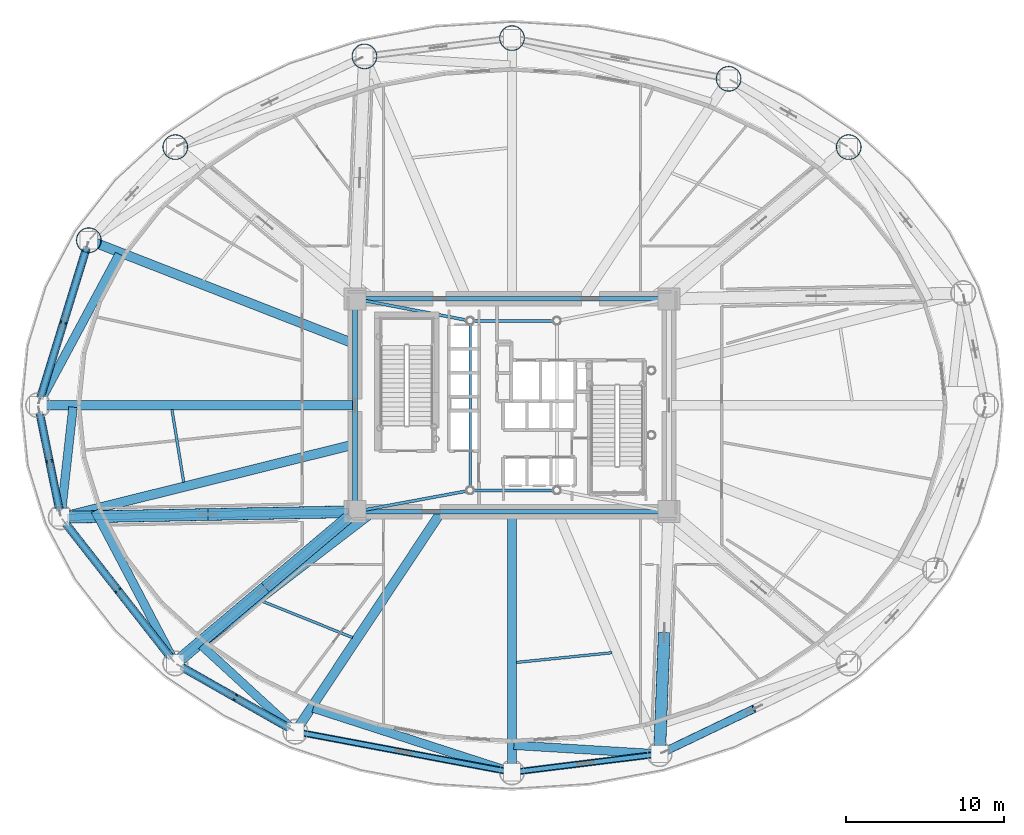
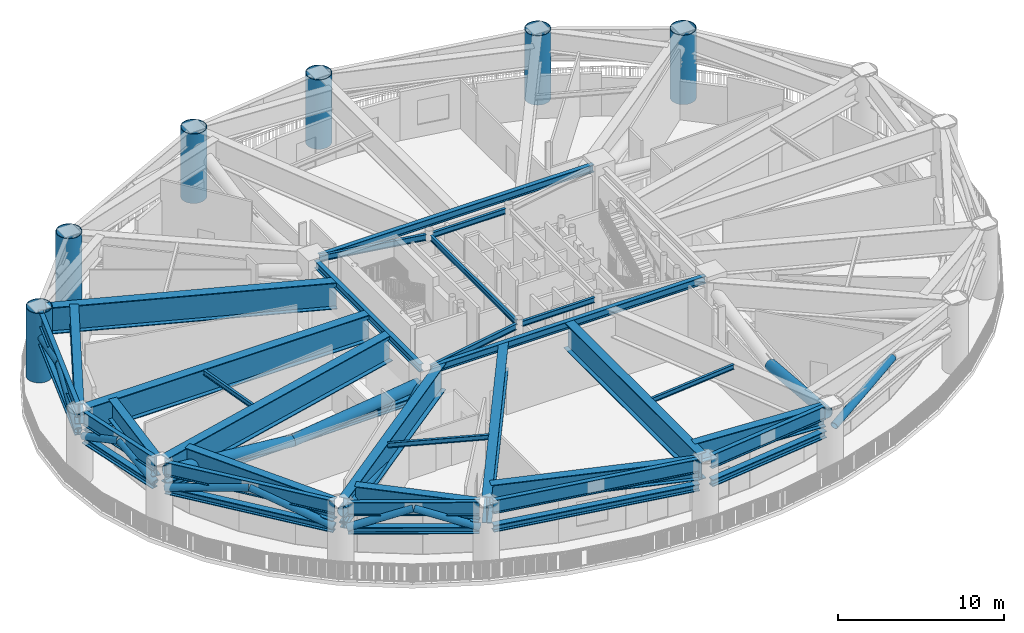
# One storey, part 3 of 22: 37 beams, 14 members, 6 columns.
"""IFC4 building model written with IfcOpenShell, lengths in metres."""

from ifc_helpers import new_model, si_unit, direction, frame, origin, origin_2d, place, context, subcontext, project, spatial, hollow_circle, i_section, extrude, material, material_profile, profile_set, type_object, element, save


model = new_model("IFC4")

# Units and contexts
model_context = context("Model", 3, precision=1e-05, world=origin(), true_north=direction((0.0, 1.0)))
body_context = subcontext(model_context, "Body", "Model", "MODEL_VIEW")
ifc_project = project(units=[si_unit("LENGTHUNIT", "METRE"), si_unit("AREAUNIT", "SQUARE_METRE"), si_unit("VOLUMEUNIT", "CUBIC_METRE"), si_unit("PLANEANGLEUNIT", "RADIAN"), si_unit("MASSUNIT", "GRAM", prefix="KILO")], contexts=[model_context])

# Site, building, storey
site_placement = place(None, origin())
site = spatial("IfcSite", under=ifc_project, at=site_placement, CompositionType="ELEMENT")
building_placement = place(site_placement, origin())
building = spatial("IfcBuilding", under=site, at=building_placement, Name="Linh Dai School and Residence Tower", CompositionType="ELEMENT")
storey_placement = place(building_placement, frame((0.0, 0.0, 87.0)))
storey = spatial("IfcBuildingStorey", under=building, at=storey_placement, Name="L20", CompositionType="ELEMENT", Elevation=87.0)

# Columns
ifc_material = material(Name="Structural Steel S355JR", Category="steel")
ifc_material_profile_1 = material_profile(ifc_material, hollow_circle(Radius=0.800048828125, WallThickness=0.044921875, at=origin_2d()), Name="CHS 1600x45")
ifc_profile_set_1 = profile_set([ifc_material_profile_1], Name="Structural Steel S355JR")
column_type = type_object("IfcColumnType", Name="COL-MC2", PredefinedType="COLUMN", material=ifc_profile_set_1)
for number, where, z_axis, x_axis, name in (
    (1, (57.352783203125, 43.369140625, 0.0), (0.0, 0.0, 1.0), (1.0, 0.0, 0.0), "L20 Perimeter CFT Mega-Column MC03"),
    (2, (49.73828125, 47.69921875, 0.0), (0.0, 0.0, 1.0), (1.0, 0.0, 0.0), "L20 Perimeter CFT Mega-Column MC04"),
    (3, (36.0, 50.280029296875, 0.0), (0.0, 0.0, 1.0), (1.0, 0.0, 0.0), "L20 Perimeter CFT Mega-Column MC05"),
    (4, (26.642333984375, 49.119873046875, 0.0), (0.0, 0.0, 1.0), (1.0, 0.0, 0.0), "L20 Perimeter CFT Mega-Column MC06"),
    (5, (14.647216796875, 43.369140625, 0.0), (0.0, 0.0, 1.0), (1.0, 0.0, 0.0), "L20 Perimeter CFT Mega-Column MC07"),
    (6, (9.16455078125, 37.4638671875, 0.0), (0.0, 0.0, 1.0), (1.0, 0.0, 0.0), "L20 Perimeter CFT Mega-Column MC08"),
):
    element("IfcColumn", number, at=place(storey_placement, frame(where, z_axis=z_axis, x_axis=x_axis)), inside=storey, type_object=column_type, Name=name, PredefinedType="COLUMN", context=body_context, shape_type="SweptSolid", body=[
        extrude(hollow_circle(Radius=0.800048828125, WallThickness=0.044921875, at=origin_2d()), origin(), (0.0, 0.0, 1.0), 5.10009765625),
    ])

# Beams
ifc_material_profile_2 = material_profile(ifc_material, i_section(OverallWidth=0.41796875, OverallDepth=0.506103515625, WebThickness=0.038818359375, FlangeThickness=0.05810546875, FilletRadius=0.014892578125, at=origin_2d()), Name="HD 400x551")
ifc_profile_set_2 = profile_set([ifc_material_profile_2], Name="Structural Steel S355JR")
beam_type_1 = type_object("IfcBeamType", Name="BM-BC1", PredefinedType="BEAM", material=ifc_profile_set_2)
beam_1_placement = place(storey_placement, frame((9.041259765625, 37.062255859375, 3.050048828125), z_axis=(-0.293673329015, -0.95590584046, 0.0), x_axis=(0.95590584046, -0.293673329015, 0.0)))
element("IfcBeam", 7, at=beam_1_placement, inside=storey, type_object=beam_type_1, Name="L20 Ring Belt Truss BT2 Bottom Chord 08", PredefinedType="BEAM", context=body_context, shape_type="SweptSolid", body=[
    extrude(i_section(OverallWidth=0.41796875, OverallDepth=0.506103515625, WebThickness=0.038818359375, FlangeThickness=0.05810546875, FilletRadius=0.014892578125, at=origin_2d()), origin(), (0.0, 0.0, 1.0), 10.1064453125),
])
beam_2_placement = place(storey_placement, frame((6.033447265625, 26.58837890625, 3.050048828125), z_axis=(0.198429171022, -0.980115230005, 0.0), x_axis=(0.980115230005, 0.198429171022, 0.0)))
element("IfcBeam", 8, at=beam_2_placement, inside=storey, type_object=beam_type_1, Name="L20 Ring Belt Truss BT2 Bottom Chord 09", PredefinedType="BEAM", context=body_context, shape_type="SweptSolid", body=[
    extrude(i_section(OverallWidth=0.41796875, OverallDepth=0.506103515625, WebThickness=0.038818359375, FlangeThickness=0.05810546875, FilletRadius=0.014892578125, at=origin_2d()), origin(), (0.0, 0.0, 1.0), 6.41259765625),
])
beam_3_placement = place(storey_placement, frame((7.648193359375, 19.560791015625, 3.050048828125), z_axis=(0.616878670407, -0.787058260866, 0.0), x_axis=(0.787058260866, 0.616878670407, 0.0)))
element("IfcBeam", 9, at=beam_3_placement, inside=storey, type_object=beam_type_1, Name="L20 Ring Belt Truss BT2 Bottom Chord 10", PredefinedType="BEAM", context=body_context, shape_type="SweptSolid", body=[
    extrude(i_section(OverallWidth=0.41796875, OverallDepth=0.506103515625, WebThickness=0.038818359375, FlangeThickness=0.05810546875, FilletRadius=0.014892578125, at=origin_2d()), origin(), (0.0, 0.0, 1.0), 10.926025390625),
])
beam_4_placement = place(storey_placement, frame((15.012451171875, 10.42333984375, 3.050048828125), z_axis=(0.869271416992, -0.494335112653, 0.0), x_axis=(0.494335112653, 0.869271416992, 0.0)))
element("IfcBeam", 10, at=beam_4_placement, inside=storey, type_object=beam_type_1, Name="L20 Ring Belt Truss BT2 Bottom Chord 11", PredefinedType="BEAM", context=body_context, shape_type="SweptSolid", body=[
    extrude(i_section(OverallWidth=0.41796875, OverallDepth=0.506103515625, WebThickness=0.038818359375, FlangeThickness=0.05810546875, FilletRadius=0.014892578125, at=origin_2d()), origin(), (0.0, 0.0, 1.0), 7.91943359375),
])
beam_5_placement = place(storey_placement, frame((22.67431640625, 6.223388671875, 3.050048828125), z_axis=(0.982808389171, -0.184628465236, 0.0), x_axis=(0.184628465236, 0.982808389171, 0.0)))
element("IfcBeam", 11, at=beam_5_placement, inside=storey, type_object=beam_type_1, Name="L20 Ring Belt Truss BT2 Bottom Chord 12", PredefinedType="BEAM", context=body_context, shape_type="SweptSolid", body=[
    extrude(i_section(OverallWidth=0.41796875, OverallDepth=0.506103515625, WebThickness=0.038818359375, FlangeThickness=0.05810546875, FilletRadius=0.014892578125, at=origin_2d()), origin(), (0.0, 0.0, 1.0), 13.138671875),
])
beam_6_placement = place(storey_placement, frame((36.416748046875, 3.771728515625, 3.050048828125), z_axis=(0.99240113372, 0.123044665842, 0.0), x_axis=(-0.123044665842, 0.99240113372, 0.0)))
element("IfcBeam", 12, at=beam_6_placement, inside=storey, type_object=beam_type_1, Name="L20 Ring Belt Truss BT2 Bottom Chord 13", PredefinedType="BEAM", context=body_context, shape_type="SweptSolid", body=[
    extrude(i_section(OverallWidth=0.41796875, OverallDepth=0.506103515625, WebThickness=0.038818359375, FlangeThickness=0.05810546875, FilletRadius=0.014892578125, at=origin_2d()), origin(), (0.0, 0.0, 1.0), 8.58935546875),
])
beam_7_placement = place(storey_placement, frame((25.630126953125, 20.241943359375, 3.10009765625), z_axis=(-0.99981560053, -0.019203253263, 0.0), x_axis=(0.019203253263, -0.99981560053, 0.0)))
element("IfcBeam", 13, at=beam_7_placement, inside=storey, type_object=beam_type_1, Name="L20 Outrigger Truss OT1 Bottom Chord 05", PredefinedType="BEAM", context=body_context, shape_type="SweptSolid", body=[
    extrude(i_section(OverallWidth=0.41796875, OverallDepth=0.506103515625, WebThickness=0.038818359375, FlangeThickness=0.05810546875, FilletRadius=0.014892578125, at=origin_2d()), origin(), (0.0, 0.0, 1.0), 17.82421875),
])
beam_8_placement = place(storey_placement, frame((25.72900390625, 19.979248046875, 3.10009765625), z_axis=(-0.764352378817, -0.644798760077, 0.0), x_axis=(0.644798760077, -0.764352378817, 0.0)))
element("IfcBeam", 14, at=beam_8_placement, inside=storey, type_object=beam_type_1, Name="L20 Outrigger Truss OT1 Bottom Chord 06", PredefinedType="BEAM", context=body_context, shape_type="SweptSolid", body=[
    extrude(i_section(OverallWidth=0.41796875, OverallDepth=0.506103515625, WebThickness=0.038818359375, FlangeThickness=0.05810546875, FilletRadius=0.014892578125, at=origin_2d()), origin(), (0.0, 0.0, 1.0), 14.078369140625),
])
ifc_material_profile_3 = material_profile(ifc_material, i_section(OverallWidth=0.300048828125, OverallDepth=1.0, WebThickness=0.01904296875, FlangeThickness=0.035888671875, FilletRadius=0.030029296875, at=origin_2d()), Name="HEB 1000")
ifc_profile_set_3 = profile_set([ifc_material_profile_3], Name="Structural Steel S355JR")
beam_type_2 = type_object("IfcBeamType", Name="BM-RG10", PredefinedType="BEAM", material=ifc_profile_set_3)
beam_9_placement = place(storey_placement, frame((9.041259765625, 37.062255859375, 4.60009765625), z_axis=(-0.293673329015, -0.95590584046, 0.0), x_axis=(0.95590584046, -0.293673329015, 0.0)))
element("IfcBeam", 15, at=beam_9_placement, inside=storey, type_object=beam_type_2, Name="L20 Perimeter Elliptical Ring Beam 08", PredefinedType="BEAM", context=body_context, shape_type="SweptSolid", body=[
    extrude(i_section(OverallWidth=0.300048828125, OverallDepth=1.0, WebThickness=0.01904296875, FlangeThickness=0.035888671875, FilletRadius=0.030029296875, at=origin_2d()), origin(), (0.0, 0.0, 1.0), 10.1064453125),
])
beam_10_placement = place(storey_placement, frame((6.033447265625, 26.58837890625, 4.60009765625), z_axis=(0.198429171022, -0.980115230005, 0.0), x_axis=(0.980115230005, 0.198429171022, 0.0)))
element("IfcBeam", 16, at=beam_10_placement, inside=storey, type_object=beam_type_2, Name="L20 Perimeter Elliptical Ring Beam 09", PredefinedType="BEAM", context=body_context, shape_type="SweptSolid", body=[
    extrude(i_section(OverallWidth=0.300048828125, OverallDepth=1.0, WebThickness=0.01904296875, FlangeThickness=0.035888671875, FilletRadius=0.030029296875, at=origin_2d()), origin(), (0.0, 0.0, 1.0), 6.41259765625),
])
beam_11_placement = place(storey_placement, frame((7.648193359375, 19.560791015625, 4.60009765625), z_axis=(0.616878670407, -0.787058260866, 0.0), x_axis=(0.787058260866, 0.616878670407, 0.0)))
element("IfcBeam", 17, at=beam_11_placement, inside=storey, type_object=beam_type_2, Name="L20 Perimeter Elliptical Ring Beam 10", PredefinedType="BEAM", context=body_context, shape_type="SweptSolid", body=[
    extrude(i_section(OverallWidth=0.300048828125, OverallDepth=1.0, WebThickness=0.01904296875, FlangeThickness=0.035888671875, FilletRadius=0.030029296875, at=origin_2d()), origin(), (0.0, 0.0, 1.0), 10.926025390625),
])
beam_12_placement = place(storey_placement, frame((15.012451171875, 10.42333984375, 4.60009765625), z_axis=(0.869271416992, -0.494335112653, 0.0), x_axis=(0.494335112653, 0.869271416992, 0.0)))
element("IfcBeam", 18, at=beam_12_placement, inside=storey, type_object=beam_type_2, Name="L20 Perimeter Elliptical Ring Beam 11", PredefinedType="BEAM", context=body_context, shape_type="SweptSolid", body=[
    extrude(i_section(OverallWidth=0.300048828125, OverallDepth=1.0, WebThickness=0.01904296875, FlangeThickness=0.035888671875, FilletRadius=0.030029296875, at=origin_2d()), origin(), (0.0, 0.0, 1.0), 7.91943359375),
])
beam_13_placement = place(storey_placement, frame((22.67431640625, 6.223388671875, 4.60009765625), z_axis=(0.982808389171, -0.184628465236, 0.0), x_axis=(0.184628465236, 0.982808389171, 0.0)))
element("IfcBeam", 19, at=beam_13_placement, inside=storey, type_object=beam_type_2, Name="L20 Perimeter Elliptical Ring Beam 12", PredefinedType="BEAM", context=body_context, shape_type="SweptSolid", body=[
    extrude(i_section(OverallWidth=0.300048828125, OverallDepth=1.0, WebThickness=0.01904296875, FlangeThickness=0.035888671875, FilletRadius=0.030029296875, at=origin_2d()), origin(), (0.0, 0.0, 1.0), 13.138671875),
])
beam_14_placement = place(storey_placement, frame((36.416748046875, 3.771728515625, 4.60009765625), z_axis=(0.99240113372, 0.123044665842, 0.0), x_axis=(-0.123044665842, 0.99240113372, 0.0)))
element("IfcBeam", 20, at=beam_14_placement, inside=storey, type_object=beam_type_2, Name="L20 Perimeter Elliptical Ring Beam 13", PredefinedType="BEAM", context=body_context, shape_type="SweptSolid", body=[
    extrude(i_section(OverallWidth=0.300048828125, OverallDepth=1.0, WebThickness=0.01904296875, FlangeThickness=0.035888671875, FilletRadius=0.030029296875, at=origin_2d()), origin(), (0.0, 0.0, 1.0), 8.58935546875),
])
ifc_material_profile_4 = material_profile(ifc_material, i_section(OverallWidth=0.300048828125, OverallDepth=0.550048828125, WebThickness=0.014892578125, FlangeThickness=0.029052734375, FilletRadius=0.027099609375, at=origin_2d()), Name="HEB 550")
ifc_profile_set_4 = profile_set([ifc_material_profile_4], Name="Structural Steel S355JR")
beam_type_3 = type_object("IfcBeamType", Name="BM-RG55", PredefinedType="BEAM", material=ifc_profile_set_4)
for number, where, z_axis, x_axis, name in (
    (21, (26.469970703125, 20.25, 4.824951171875), (1.0, 0.0, 0.0), (0.0, 1.0, 0.0), "L20 Core Perimeter Coupling Girder 1"),
    (22, (45.530029296875, 33.75, 4.824951171875), (-1.0, 0.0, 0.0), (0.0, -1.0, 0.0), "L20 Core Perimeter Coupling Girder 3"),
):
    element("IfcBeam", number, at=place(storey_placement, frame(where, z_axis=z_axis, x_axis=x_axis)), inside=storey, type_object=beam_type_3, Name=name, PredefinedType="BEAM", context=body_context, shape_type="SweptSolid", body=[
        extrude(i_section(OverallWidth=0.300048828125, OverallDepth=0.550048828125, WebThickness=0.014892578125, FlangeThickness=0.029052734375, FilletRadius=0.027099609375, at=origin_2d()), origin(), (0.0, 0.0, 1.0), 19.06005859375),
    ])
beam_15_placement = place(storey_placement, frame((26.050048828125, 33.330078125, 4.824951171875), z_axis=(0.0, -1.0, 0.0), x_axis=(1.0, 0.0, 0.0)))
element("IfcBeam", 23, at=beam_15_placement, inside=storey, type_object=beam_type_3, Name="L20 Core Perimeter Coupling Girder 4", PredefinedType="BEAM", context=body_context, shape_type="SweptSolid", body=[
    extrude(i_section(OverallWidth=0.300048828125, OverallDepth=0.550048828125, WebThickness=0.014892578125, FlangeThickness=0.029052734375, FilletRadius=0.027099609375, at=origin_2d()), origin(), (0.0, 0.0, 1.0), 12.66015625),
])
ifc_material_profile_5 = material_profile(ifc_material, i_section(OverallWidth=0.169921875, OverallDepth=0.360107421875, WebThickness=0.008056640625, FlangeThickness=0.0126953125, FilletRadius=0.01806640625, at=origin_2d()), Name="IPE 360")
ifc_profile_set_5 = profile_set([ifc_material_profile_5], Name="Structural Steel S355JR")
beam_type_4 = type_object("IfcBeamType", Name="BM-SB36", PredefinedType="BEAM", material=ifc_profile_set_5)
beam_16_placement = place(storey_placement, frame((14.436767578125, 26.7236328125, 4.919921875), z_axis=(0.159664860772, -0.987171278064, 0.0), x_axis=(0.987171278064, 0.159664860772, 0.0)))
element("IfcBeam", 24, at=beam_16_placement, inside=storey, type_object=beam_type_4, Name="L20 Secondary Circumferential Floor Beam 05", PredefinedType="BEAM", context=body_context, shape_type="SweptSolid", body=[
    extrude(i_section(OverallWidth=0.169921875, OverallDepth=0.360107421875, WebThickness=0.008056640625, FlangeThickness=0.0126953125, FilletRadius=0.01806640625, at=origin_2d()), origin(), (0.0, 0.0, 1.0), 4.668212890625),
])
beam_17_placement = place(storey_placement, frame((20.177001953125, 14.566162109375, 4.919921875), z_axis=(0.927541657377, -0.373719779823, 0.0), x_axis=(0.373719779823, 0.927541657377, 0.0)))
element("IfcBeam", 25, at=beam_17_placement, inside=storey, type_object=beam_type_4, Name="L20 Secondary Circumferential Floor Beam 06", PredefinedType="BEAM", context=body_context, shape_type="SweptSolid", body=[
    extrude(i_section(OverallWidth=0.169921875, OverallDepth=0.360107421875, WebThickness=0.008056640625, FlangeThickness=0.0126953125, FilletRadius=0.01806640625, at=origin_2d()), origin(), (0.0, 0.0, 1.0), 6.15966796875),
])
beam_18_placement = place(storey_placement, frame((36.278564453125, 10.69091796875, 4.919921875), z_axis=(0.994886299019, 0.101001247636, 0.0), x_axis=(-0.101001247636, 0.994886299019, 0.0)))
element("IfcBeam", 26, at=beam_18_placement, inside=storey, type_object=beam_type_4, Name="L20 Secondary Circumferential Floor Beam 07", PredefinedType="BEAM", context=body_context, shape_type="SweptSolid", body=[
    extrude(i_section(OverallWidth=0.169921875, OverallDepth=0.360107421875, WebThickness=0.008056640625, FlangeThickness=0.0126953125, FilletRadius=0.01806640625, at=origin_2d()), origin(), (0.0, 0.0, 1.0), 6.10107421875),
])
ifc_material_profile_6 = material_profile(ifc_material, i_section(OverallWidth=0.179931640625, OverallDepth=0.39990234375, WebThickness=0.008544921875, FlangeThickness=0.013427734375, FilletRadius=0.02099609375, at=origin_2d()), Name="IPE 400")
ifc_profile_set_6 = profile_set([ifc_material_profile_6], Name="Structural Steel S355JR")
beam_type_5 = type_object("IfcBeamType", Name="BM-SB40", PredefinedType="BEAM", material=ifc_profile_set_6)
for number, where, z_axis, x_axis, name in (
    (27, (33.573974609375, 21.60009765625, 4.89990234375), (1.0, 0.0, 0.0), (0.0, 1.0, 0.0), "L20 Core Mast Pier Tie Beam 1"),
    (28, (38.6259765625, 32.35009765625, 4.89990234375), (-1.0, 0.0, 0.0), (0.0, -1.0, 0.0), "L20 Core Mast Pier Tie Beam 3"),
):
    element("IfcBeam", number, at=place(storey_placement, frame(where, z_axis=z_axis, x_axis=x_axis)), inside=storey, type_object=beam_type_5, Name=name, PredefinedType="BEAM", context=body_context, shape_type="SweptSolid", body=[
        extrude(i_section(OverallWidth=0.179931640625, OverallDepth=0.39990234375, WebThickness=0.008544921875, FlangeThickness=0.013427734375, FilletRadius=0.02099609375, at=origin_2d()), origin(), (0.0, 0.0, 1.0), 5.052001953125),
    ])
beam_19_placement = place(storey_placement, frame((33.35009765625, 32.1259765625, 4.89990234375), z_axis=(0.0, -1.0, 0.0), x_axis=(1.0, 0.0, 0.0)))
element("IfcBeam", 29, at=beam_19_placement, inside=storey, type_object=beam_type_5, Name="L20 Core Mast Pier Tie Beam 4", PredefinedType="BEAM", context=body_context, shape_type="SweptSolid", body=[
    extrude(i_section(OverallWidth=0.179931640625, OverallDepth=0.39990234375, WebThickness=0.008544921875, FlangeThickness=0.013427734375, FilletRadius=0.02099609375, at=origin_2d()), origin(), (0.0, 0.0, 1.0), 10.302001953125),
])
ifc_material_profile_7 = material_profile(ifc_material, i_section(OverallWidth=0.18994140625, OverallDepth=0.449951171875, WebThickness=0.009521484375, FlangeThickness=0.0146484375, FilletRadius=0.02099609375, at=origin_2d()), Name="IPE 450")
ifc_profile_set_7 = profile_set([ifc_material_profile_7], Name="Structural Steel S355JR")
beam_type_6 = type_object("IfcBeamType", Name="BM-SB45", PredefinedType="BEAM", material=ifc_profile_set_7)
beam_20_placement = place(storey_placement, frame((26.462890625, 20.326416015625, 4.875), z_axis=(0.983326152819, 0.18185070025, 0.0), x_axis=(-0.18185070025, 0.983326152819, 0.0)))
element("IfcBeam", 30, at=beam_20_placement, inside=storey, type_object=beam_type_6, Name="L20 Core Corner-to-Mast Pier Beam 1", PredefinedType="BEAM", context=body_context, shape_type="SweptSolid", body=[
    extrude(i_section(OverallWidth=0.18994140625, OverallDepth=0.449951171875, WebThickness=0.009521484375, FlangeThickness=0.0146484375, FilletRadius=0.02099609375, at=origin_2d()), origin(), (0.0, 0.0, 1.0), 6.77978515625),
])
beam_21_placement = place(storey_placement, frame((26.46240234375, 33.6708984375, 4.875), z_axis=(0.982100456787, -0.188357884832, 0.0), x_axis=(0.188357884832, 0.982100456787, 0.0)))
element("IfcBeam", 31, at=beam_21_placement, inside=storey, type_object=beam_type_6, Name="L20 Core Corner-to-Mast Pier Beam 4", PredefinedType="BEAM", context=body_context, shape_type="SweptSolid", body=[
    extrude(i_section(OverallWidth=0.18994140625, OverallDepth=0.449951171875, WebThickness=0.009521484375, FlangeThickness=0.0146484375, FilletRadius=0.02099609375, at=origin_2d()), origin(), (0.0, 0.0, 1.0), 6.789306640625),
])
ifc_material_profile_8 = material_profile(ifc_material, i_section(OverallWidth=0.550048828125, OverallDepth=1.5, WebThickness=0.028076171875, FlangeThickness=0.050048828125, at=origin_2d()), Name="PG 1500x550x28x50")
ifc_profile_set_8 = profile_set([ifc_material_profile_8], Name="Structural Steel S355JR")
beam_type_7 = type_object("IfcBeamType", Name="BM-TG15", PredefinedType="BEAM", material=ifc_profile_set_8)
beam_22_placement = place(storey_placement, frame((11.09423828125, 36.581787109375, 4.35009765625), z_axis=(-0.473018898391, -0.881052280949, 0.0), x_axis=(0.881052280949, -0.473018898391, 0.0)))
element("IfcBeam", 32, at=beam_22_placement, inside=storey, type_object=beam_type_7, Name="L20 Setback Diaphragm Transfer Girder 08", PredefinedType="BEAM", context=body_context, shape_type="SweptSolid", body=[
    extrude(i_section(OverallWidth=0.550048828125, OverallDepth=1.5, WebThickness=0.028076171875, FlangeThickness=0.050048828125, at=origin_2d()), origin(), (0.0, 0.0, 1.0), 10.455322265625),
])
beam_23_placement = place(storey_placement, frame((8.161865234375, 26.880615234375, 4.35009765625), z_axis=(-0.109888443668, -0.993943926964, 0.0), x_axis=(0.993943926964, -0.109888443668, 0.0)))
element("IfcBeam", 33, at=beam_23_placement, inside=storey, type_object=beam_type_7, Name="L20 Setback Diaphragm Transfer Girder 09", PredefinedType="BEAM", context=body_context, shape_type="SweptSolid", body=[
    extrude(i_section(OverallWidth=0.550048828125, OverallDepth=1.5, WebThickness=0.028076171875, FlangeThickness=0.050048828125, at=origin_2d()), origin(), (0.0, 0.0, 1.0), 6.61181640625),
])
beam_24_placement = place(storey_placement, frame((9.563232421875, 20.312744140625, 4.35009765625), z_axis=(0.464900329916, -0.885363023423, 0.0), x_axis=(0.885363023423, 0.464900329916, 0.0)))
element("IfcBeam", 34, at=beam_24_placement, inside=storey, type_object=beam_type_7, Name="L20 Setback Diaphragm Transfer Girder 10", PredefinedType="BEAM", context=body_context, shape_type="SweptSolid", body=[
    extrude(i_section(OverallWidth=0.550048828125, OverallDepth=1.5, WebThickness=0.028076171875, FlangeThickness=0.050048828125, at=origin_2d()), origin(), (0.0, 0.0, 1.0), 10.515625),
])
beam_25_placement = place(storey_placement, frame((16.315673828125, 11.763427734375, 4.35009765625), z_axis=(0.736406970607, -0.67653881902, 0.0), x_axis=(0.67653881902, 0.736406970607, 0.0)))
element("IfcBeam", 35, at=beam_25_placement, inside=storey, type_object=beam_type_7, Name="L20 Setback Diaphragm Transfer Girder 11", PredefinedType="BEAM", context=body_context, shape_type="SweptSolid", body=[
    extrude(i_section(OverallWidth=0.550048828125, OverallDepth=1.5, WebThickness=0.028076171875, FlangeThickness=0.050048828125, at=origin_2d()), origin(), (0.0, 0.0, 1.0), 7.654296875),
])
beam_26_placement = place(storey_placement, frame((23.392333984375, 7.798095703125, 4.35009765625), z_axis=(0.951465496082, -0.307755438238, 0.0), x_axis=(0.307755438238, 0.951465496082, 0.0)))
element("IfcBeam", 36, at=beam_26_placement, inside=storey, type_object=beam_type_7, Name="L20 Setback Diaphragm Transfer Girder 12", PredefinedType="BEAM", context=body_context, shape_type="SweptSolid", body=[
    extrude(i_section(OverallWidth=0.550048828125, OverallDepth=1.5, WebThickness=0.028076171875, FlangeThickness=0.050048828125, at=origin_2d()), origin(), (0.0, 0.0, 1.0), 12.830810546875),
])
beam_27_placement = place(storey_placement, frame((36.119873046875, 5.437744140625, 4.35009765625), z_axis=(0.998183735829, -0.060243086961, 0.0), x_axis=(0.060243086961, 0.998183735829, 0.0)))
element("IfcBeam", 37, at=beam_27_placement, inside=storey, type_object=beam_type_7, Name="L20 Setback Diaphragm Transfer Girder 13", PredefinedType="BEAM", context=body_context, shape_type="SweptSolid", body=[
    extrude(i_section(OverallWidth=0.550048828125, OverallDepth=1.5, WebThickness=0.028076171875, FlangeThickness=0.050048828125, at=origin_2d()), origin(), (0.0, 0.0, 1.0), 8.834716796875),
])
ifc_material_profile_9 = material_profile(ifc_material, i_section(OverallWidth=0.60009765625, OverallDepth=1.949951171875, WebThickness=0.031982421875, FlangeThickness=0.054931640625, at=origin_2d()), Name="PG 1950x600x32x55")
ifc_profile_set_9 = profile_set([ifc_material_profile_9], Name="Structural Steel S355JR")
beam_type_8 = type_object("IfcBeamType", Name="BM-TG19", PredefinedType="BEAM", material=ifc_profile_set_9)
beam_28_placement = place(storey_placement, frame((26.050048828125, 30.879638671875, 4.125), z_axis=(-0.93167509369, 0.363292609061, 0.0), x_axis=(-0.363292609061, -0.93167509369, 0.0)))
element("IfcBeam", 38, at=beam_28_placement, inside=storey, type_object=beam_type_8, Name="L20 Radial Setback Transfer Girder 08", PredefinedType="BEAM", context=body_context, shape_type="SweptSolid", body=[
    extrude(i_section(OverallWidth=0.60009765625, OverallDepth=1.949951171875, WebThickness=0.031982421875, FlangeThickness=0.054931640625, at=origin_2d()), origin(), (0.0, 0.0, 1.0), 17.703857421875),
])
beam_29_placement = place(storey_placement, frame((26.050048828125, 27.0, 4.125), z_axis=(-1.0, 0.0, 0.0), x_axis=(0.0, -1.0, 0.0)))
element("IfcBeam", 39, at=beam_29_placement, inside=storey, type_object=beam_type_8, Name="L20 Radial Setback Transfer Girder 09", PredefinedType="BEAM", context=body_context, shape_type="SweptSolid", body=[
    extrude(i_section(OverallWidth=0.60009765625, OverallDepth=1.949951171875, WebThickness=0.031982421875, FlangeThickness=0.054931640625, at=origin_2d()), origin(), (0.0, 0.0, 1.0), 19.679931640625),
])
beam_30_placement = place(storey_placement, frame((26.050048828125, 24.52783203125, 4.125), z_axis=(-0.970493481328, -0.241127357843, 0.0), x_axis=(0.241127357843, -0.970493481328, 0.0)))
element("IfcBeam", 40, at=beam_30_placement, inside=storey, type_object=beam_type_8, Name="L20 Radial Setback Transfer Girder 10", PredefinedType="BEAM", context=body_context, shape_type="SweptSolid", body=[
    extrude(i_section(OverallWidth=0.60009765625, OverallDepth=1.949951171875, WebThickness=0.031982421875, FlangeThickness=0.054931640625, at=origin_2d()), origin(), (0.0, 0.0, 1.0), 18.80810546875),
])
beam_31_placement = place(storey_placement, frame((27.195068359375, 20.25, 4.125), z_axis=(-0.793637764155, -0.608390581212, 0.0), x_axis=(0.608390581212, -0.793637764155, 0.0)))
element("IfcBeam", 41, at=beam_31_placement, inside=storey, type_object=beam_type_8, Name="L20 Radial Setback Transfer Girder 11", PredefinedType="BEAM", context=body_context, shape_type="SweptSolid", body=[
    extrude(i_section(OverallWidth=0.60009765625, OverallDepth=1.949951171875, WebThickness=0.031982421875, FlangeThickness=0.054931640625, at=origin_2d()), origin(), (0.0, 0.0, 1.0), 15.390625),
])
beam_32_placement = place(storey_placement, frame((31.52001953125, 20.25, 4.125), z_axis=(-0.55300421354, -0.833178456158, 0.0), x_axis=(0.833178456158, -0.55300421354, 0.0)))
element("IfcBeam", 42, at=beam_32_placement, inside=storey, type_object=beam_type_8, Name="L20 Radial Setback Transfer Girder 12", PredefinedType="BEAM", context=body_context, shape_type="SweptSolid", body=[
    extrude(i_section(OverallWidth=0.60009765625, OverallDepth=1.949951171875, WebThickness=0.031982421875, FlangeThickness=0.054931640625, at=origin_2d()), origin(), (0.0, 0.0, 1.0), 16.322021484375),
])
beam_33_placement = place(storey_placement, frame((36.0, 20.25, 4.125), z_axis=(0.0, -1.0, 0.0), x_axis=(1.0, 0.0, 0.0)))
element("IfcBeam", 43, at=beam_33_placement, inside=storey, type_object=beam_type_8, Name="L20 Radial Setback Transfer Girder 13", PredefinedType="BEAM", context=body_context, shape_type="SweptSolid", body=[
    extrude(i_section(OverallWidth=0.60009765625, OverallDepth=1.949951171875, WebThickness=0.031982421875, FlangeThickness=0.054931640625, at=origin_2d()), origin(), (0.0, 0.0, 1.0), 16.110107421875),
])

# Members
ifc_material_profile_10 = material_profile(ifc_material, hollow_circle(Radius=0.25390625, WallThickness=0.02001953125, at=origin_2d()), Name="CHS 508x20")
ifc_profile_set_10 = profile_set([ifc_material_profile_10], Name="Structural Steel S355JR")
member_type_1 = type_object("IfcMemberType", Name="MBR-BT2", PredefinedType="BRACE", material=ifc_profile_set_10)
member_1_placement = place(storey_placement, frame((9.0458984375, 37.077392578125, 3.16455078125), z_axis=(-0.282586468185, -0.919726735662, 0.27248416414), x_axis=(0.955897646951, -0.293699997537, 0.0)))
element("IfcMember", 44, at=member_1_placement, inside=storey, type_object=member_type_1, Name="L20 Ring Belt Truss BT2 Diagonal 08A", PredefinedType="BRACE", context=body_context, shape_type="SweptSolid", body=[
    extrude(hollow_circle(Radius=0.25390625, WallThickness=0.02001953125, at=origin_2d()), origin(), (0.0, 0.0, 1.0), 5.268310546875),
])
member_2_placement = place(storey_placement, frame((6.068603515625, 27.38623046875, 3.16455078125), z_axis=(0.282531784932, 0.919745918866, 0.272476118648), x_axis=(-0.955915320928, 0.293642468344, 0.0)))
element("IfcMember", 45, at=member_2_placement, inside=storey, type_object=member_type_1, Name="L20 Ring Belt Truss BT2 Diagonal 08B", PredefinedType="BRACE", context=body_context, shape_type="SweptSolid", body=[
    extrude(hollow_circle(Radius=0.25390625, WallThickness=0.02001953125, at=origin_2d()), origin(), (0.0, 0.0, 1.0), 5.2685546875),
])
member_3_placement = place(storey_placement, frame((6.026611328125, 26.62158203125, 3.215087890625), z_axis=(0.182490793337, -0.901230159348, 0.393041105011), x_axis=(0.980108398941, 0.198462909195, 0.0)))
element("IfcMember", 46, at=member_3_placement, inside=storey, type_object=member_type_1, Name="L20 Ring Belt Truss BT2 Diagonal 09A", PredefinedType="BRACE", context=body_context, shape_type="SweptSolid", body=[
    extrude(hollow_circle(Radius=0.25390625, WallThickness=0.02001953125, at=origin_2d()), origin(), (0.0, 0.0, 1.0), 3.52392578125),
])
member_4_placement = place(storey_placement, frame((7.3125, 20.27001953125, 3.215087890625), z_axis=(-0.182423816621, 0.901241552074, 0.393046073564), x_axis=(-0.980123052541, -0.198390528701, 0.0)))
element("IfcMember", 47, at=member_4_placement, inside=storey, type_object=member_type_1, Name="L20 Ring Belt Truss BT2 Diagonal 09B", PredefinedType="BRACE", context=body_context, shape_type="SweptSolid", body=[
    extrude(hollow_circle(Radius=0.25390625, WallThickness=0.02001953125, at=origin_2d()), origin(), (0.0, 0.0, 1.0), 3.523681640625),
])
for number, where, z_axis, x_axis, name in (
    (48, (7.6396484375, 19.57177734375, 3.156982421875), (0.596535122005, -0.761068293527, 0.254795802166), (0.787044801124, 0.616895842929, 0.0), "L20 Ring Belt Truss BT2 Diagonal 10A"),
    (49, (14.396728515625, 10.950439453125, 3.156982421875), (-0.596487785101, 0.761105999532, 0.254793994633), (-0.787083406438, -0.616846586526, 0.0), "L20 Ring Belt Truss BT2 Diagonal 10B"),
):
    element("IfcMember", number, at=place(storey_placement, frame(where, z_axis=z_axis, x_axis=x_axis)), inside=storey, type_object=member_type_1, Name=name, PredefinedType="BRACE", context=body_context, shape_type="SweptSolid", body=[
        extrude(hollow_circle(Radius=0.25390625, WallThickness=0.02001953125, at=origin_2d()), origin(), (0.0, 0.0, 1.0), 5.663818359375),
    ])
member_5_placement = place(storey_placement, frame((14.991455078125, 10.43505859375, 3.190185546875), z_axis=(0.819464436505, -0.466003958323, 0.333644044051), x_axis=(0.494329466237, 0.869274627957, 0.0)))
element("IfcMember", 50, at=member_5_placement, inside=storey, type_object=member_type_1, Name="L20 Ring Belt Truss BT2 Diagonal 11A", PredefinedType="BRACE", context=body_context, shape_type="SweptSolid", body=[
    extrude(hollow_circle(Radius=0.25390625, WallThickness=0.02001953125, at=origin_2d()), origin(), (0.0, 0.0, 1.0), 4.225830078125),
])
member_6_placement = place(storey_placement, frame((21.91748046875, 6.49658203125, 3.190185546875), z_axis=(-0.819483412602, 0.465981896796, 0.333628248698), x_axis=(-0.494303132506, -0.869289602604, 0.0)))
element("IfcMember", 51, at=member_6_placement, inside=storey, type_object=member_type_1, Name="L20 Ring Belt Truss BT2 Diagonal 11B", PredefinedType="BRACE", context=body_context, shape_type="SweptSolid", body=[
    extrude(hollow_circle(Radius=0.25390625, WallThickness=0.02001953125, at=origin_2d()), origin(), (0.0, 0.0, 1.0), 4.22607421875),
])
member_7_placement = place(storey_placement, frame((45.7265625, 5.05712890625, 3.145263671875), z_axis=(0.878190761707, 0.421021144617, 0.226984981523), x_axis=(-0.432305059472, 0.901727417546, 0.0)))
element("IfcMember", 52, at=member_7_placement, inside=storey, type_object=member_type_1, Name="L20 Ring Belt Truss BT2 Diagonal 14A", PredefinedType="BRACE", context=body_context, shape_type="SweptSolid", body=[
    extrude(hollow_circle(Radius=0.25390625, WallThickness=0.02001953125, at=origin_2d()), origin(), (0.0, 0.0, 1.0), 6.409423828125),
])
ifc_material_profile_11 = material_profile(ifc_material, hollow_circle(Radius=0.381103515625, WallThickness=0.02490234375, at=origin_2d()), Name="CHS 762x25")
ifc_profile_set_11 = profile_set([ifc_material_profile_11], Name="Structural Steel S355JR")
member_type_2 = type_object("IfcMemberType", Name="MBR-OT1", PredefinedType="BRACE", material=ifc_profile_set_11)
member_8_placement = place(storey_placement, frame((25.632568359375, 20.241943359375, 4.0791015625), z_axis=(-0.993840400733, -0.019083521541, -0.109165365736), x_axis=(0.019198257957, -0.999815696462, 0.0)))
element("IfcMember", 53, at=member_8_placement, inside=storey, type_object=member_type_2, Name="L20 Outrigger Truss OT1 Web Diagonal 05A", PredefinedType="BRACE", context=body_context, shape_type="SweptSolid", body=[
    extrude(hollow_circle(Radius=0.381103515625, WallThickness=0.02490234375, at=origin_2d()), origin(), (0.0, 0.0, 1.0), 8.968017578125),
])
member_9_placement = place(storey_placement, frame((7.806640625, 19.8994140625, 4.0791015625), z_axis=(0.993840218399, 0.019110217851, -0.109162355533), x_axis=(-0.01922510838, 0.999815180525, 0.0)))
element("IfcMember", 54, at=member_9_placement, inside=storey, type_object=member_type_2, Name="L20 Outrigger Truss OT1 Web Diagonal 05B", PredefinedType="BRACE", context=body_context, shape_type="SweptSolid", body=[
    extrude(hollow_circle(Radius=0.381103515625, WallThickness=0.02490234375, at=origin_2d()), origin(), (0.0, 0.0, 1.0), 8.96826171875),
])
for number, where, z_axis, x_axis, name in (
    (55, (25.73193359375, 19.981689453125, 4.06787109375), (-0.757238955318, -0.638793732783, -0.136131302444), (0.644796267827, -0.764354481243, 0.0), "L20 Outrigger Truss OT1 Web Diagonal 06A"),
    (56, (14.96533203125, 10.899169921875, 4.06787109375), (0.757238955318, 0.638793732783, -0.136131302444), (-0.644796267827, 0.764354481243, 0.0), "L20 Outrigger Truss OT1 Web Diagonal 06B"),
):
    element("IfcMember", number, at=place(storey_placement, frame(where, z_axis=z_axis, x_axis=x_axis)), inside=storey, type_object=member_type_2, Name=name, PredefinedType="BRACE", context=body_context, shape_type="SweptSolid", body=[
        extrude(hollow_circle(Radius=0.381103515625, WallThickness=0.02490234375, at=origin_2d()), origin(), (0.0, 0.0, 1.0), 7.109130859375),
    ])
member_10_placement = place(storey_placement, frame((45.373779296875, 5.296142578125, 4.069580078125), z_axis=(0.038157612058, 0.990501082302, -0.132104513932), x_axis=(-0.999258793174, 0.038494990118, 0.0)))
element("IfcMember", 57, at=member_10_placement, inside=storey, type_object=member_type_2, Name="L20 Outrigger Truss OT1 Web Diagonal 07B", PredefinedType="BRACE", context=body_context, shape_type="SweptSolid", body=[
    extrude(hollow_circle(Radius=0.381103515625, WallThickness=0.02490234375, at=origin_2d()), origin(), (0.0, 0.0, 1.0), 7.3388671875),
])

save(model, "model.ifc")
